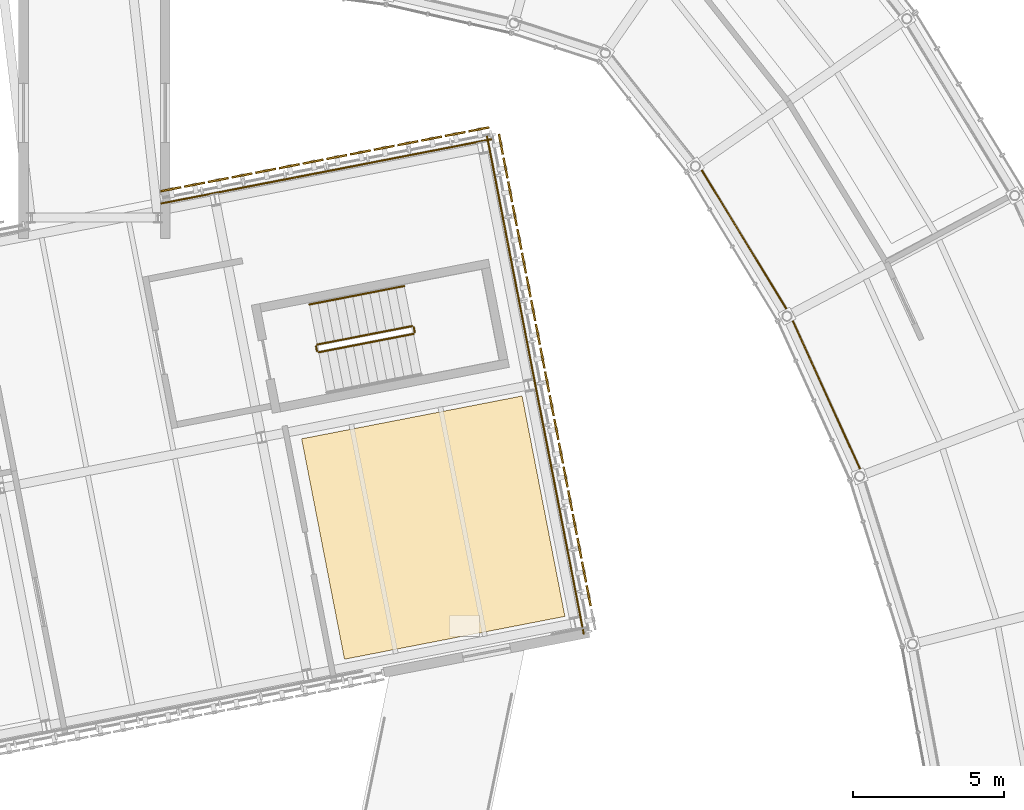
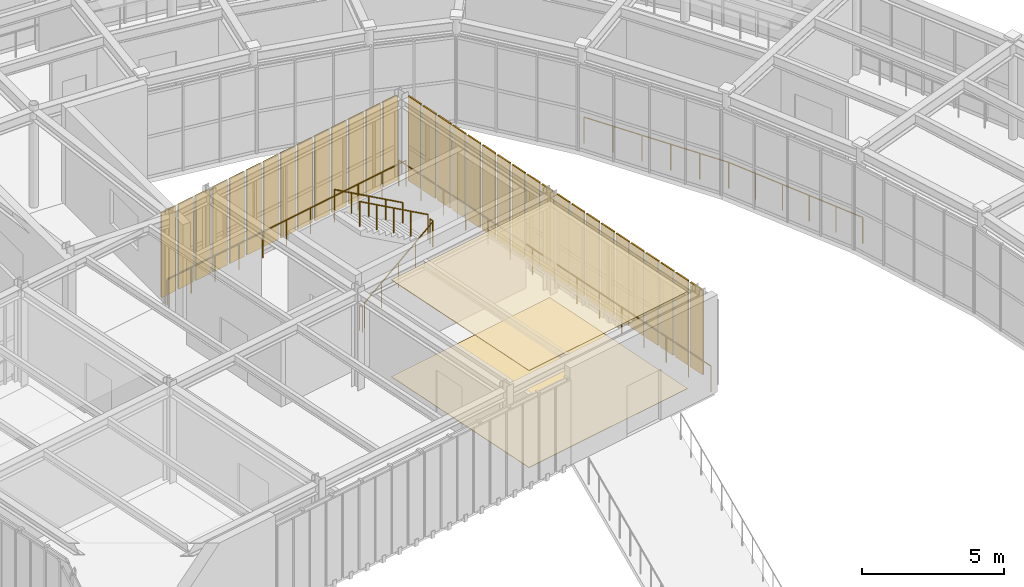
# One storey, part 99 of 103: 34 shading devices, 9 railings, 2 coverings.
"""IFC4 building model written with IfcOpenShell, lengths in metres."""

from ifc_helpers import new_model, si_unit, direction, frame, origin, origin_2d, place, context, subcontext, project, spatial, polyline, rectangle, circle, outline, extrude, material, layer, layer_set, type_object, element, save


model = new_model("IFC4")

# Units and contexts
model_context = context("Model", 3, precision=1e-05, world=origin(), true_north=direction((0.0, 1.0)))
body_context = subcontext(model_context, "Body", "Model", "MODEL_VIEW")
ifc_project = project(units=[si_unit("LENGTHUNIT", "METRE"), si_unit("AREAUNIT", "SQUARE_METRE"), si_unit("VOLUMEUNIT", "CUBIC_METRE"), si_unit("PLANEANGLEUNIT", "RADIAN"), si_unit("MASSUNIT", "GRAM", prefix="KILO")], contexts=[model_context])

# Site, building, storey
site_placement = place(None, origin())
site = spatial("IfcSite", under=ifc_project, at=site_placement, CompositionType="ELEMENT")
building_placement = place(site_placement, origin())
building = spatial("IfcBuilding", under=site, at=building_placement, Name="Varnklinge Art Gallery", CompositionType="ELEMENT")
storey_placement = place(building_placement, frame((0.0, 0.0, 5.10009765625)))
storey = spatial("IfcBuildingStorey", under=building, at=storey_placement, Name="L01", CompositionType="ELEMENT", Elevation=5.10009765625)

# Railings
ifc_material_1 = material(Name="Anodised Aluminium", Category="aluminium")
railing_type_1 = type_object("IfcRailingType", Name="BAL-01", PredefinedType="BALUSTRADE", material=ifc_material_1)
railing_1_placement = place(storey_placement, frame((99.69482421875, 72.09423828125, 0.0)))
element("IfcRailing", 1, at=railing_1_placement, inside=storey, type_object=railing_type_1, Name="L01 Ring Inner Glazing Guard 10", PredefinedType="BALUSTRADE", context=body_context, shape_type="SweptSolid", body=[
    extrude(circle(Radius=0.02392578125, at=origin_2d()), frame((0.0, 0.0, 1.11572265625), z_axis=(-0.413392255251, 0.910553042551, 0.0), x_axis=(-0.910553042551, -0.413392255251, 0.0)), (0.0, 0.0, 1.0), 5.822998046875),
    extrude(circle(Radius=0.02099609375, at=origin_2d()), origin(), (0.0, 0.0, 1.0), 1.091796875),
    extrude(circle(Radius=0.02099609375, at=origin_2d()), frame((-0.4814453125, 1.060546875, 0.0)), (0.0, 0.0, 1.0), 1.091796875),
    extrude(circle(Radius=0.02099609375, at=origin_2d()), frame((-0.962890625, 2.120849609375, 0.0)), (0.0, 0.0, 1.0), 1.091796875),
    extrude(circle(Radius=0.02099609375, at=origin_2d()), frame((-1.4443359375, 3.181396484375, 0.0)), (0.0, 0.0, 1.0), 1.091796875),
    extrude(circle(Radius=0.02099609375, at=origin_2d()), frame((-1.92578125, 4.24169921875, 0.0)), (0.0, 0.0, 1.0), 1.091796875),
    extrude(circle(Radius=0.02099609375, at=origin_2d()), frame((-2.4072265625, 5.30224609375, 0.0)), (0.0, 0.0, 1.0), 1.091796875),
])
railing_2_placement = place(storey_placement, frame((97.28759765625, 77.396484375, 0.0)))
element("IfcRailing", 2, at=railing_2_placement, inside=storey, type_object=railing_type_1, Name="L01 Ring Inner Glazing Guard 11", PredefinedType="BALUSTRADE", context=body_context, shape_type="SweptSolid", body=[
    extrude(circle(Radius=0.02392578125, at=origin_2d()), frame((0.0, 0.0, 1.11572265625), z_axis=(-0.520924193124, 0.853602943421, 0.0), x_axis=(-0.853602943421, -0.520924193124, 0.0)), (0.0, 0.0, 1.0), 5.8232421875),
    extrude(circle(Radius=0.02099609375, at=origin_2d()), origin(), (0.0, 0.0, 1.0), 1.091796875),
    extrude(circle(Radius=0.02099609375, at=origin_2d()), frame((-0.606689453125, 0.994140625, 0.0)), (0.0, 0.0, 1.0), 1.091796875),
    extrude(circle(Radius=0.02099609375, at=origin_2d()), frame((-1.21337890625, 1.98828125, 0.0)), (0.0, 0.0, 1.0), 1.091796875),
    extrude(circle(Radius=0.02099609375, at=origin_2d()), frame((-1.820068359375, 2.982421875, 0.0)), (0.0, 0.0, 1.0), 1.091796875),
    extrude(circle(Radius=0.02099609375, at=origin_2d()), frame((-2.4267578125, 3.9765625, 0.0)), (0.0, 0.0, 1.0), 1.091796875),
    extrude(circle(Radius=0.02099609375, at=origin_2d()), frame((-3.033447265625, 4.970703125, 0.0)), (0.0, 0.0, 1.0), 1.091796875),
])
railing_3_placement = place(storey_placement, frame((90.47265625, 66.853271484375, 0.0)))
element("IfcRailing", 3, at=railing_3_placement, inside=storey, type_object=railing_type_1, Name="BAL-V4B-L01-2-1", PredefinedType="BALUSTRADE", context=body_context, shape_type="SweptSolid", body=[
    extrude(circle(Radius=0.02392578125, at=origin_2d()), frame((0.0, 0.0, 1.11572265625), z_axis=(-0.19080897967, 0.981627186501, 0.0), x_axis=(-0.981627186501, -0.19080897967, 0.0)), (0.0, 0.0, 1.0), 16.7998046875),
    extrude(circle(Radius=0.02099609375, at=origin_2d()), origin(), (0.0, 0.0, 1.0), 1.091796875),
    extrude(circle(Radius=0.02099609375, at=origin_2d()), frame((-0.22900390625, 1.177978515625, 0.0)), (0.0, 0.0, 1.0), 1.091796875),
    extrude(circle(Radius=0.02099609375, at=origin_2d()), frame((-0.4580078125, 2.35595703125, 0.0)), (0.0, 0.0, 1.0), 1.091796875),
    extrude(circle(Radius=0.02099609375, at=origin_2d()), frame((-0.68701171875, 3.533935546875, 0.0)), (0.0, 0.0, 1.0), 1.091796875),
    extrude(circle(Radius=0.02099609375, at=origin_2d()), frame((-0.915771484375, 4.711669921875, 0.0)), (0.0, 0.0, 1.0), 1.091796875),
    extrude(circle(Radius=0.02099609375, at=origin_2d()), frame((-1.144775390625, 5.8896484375, 0.0)), (0.0, 0.0, 1.0), 1.091796875),
    extrude(circle(Radius=0.02099609375, at=origin_2d()), frame((-1.373779296875, 7.067626953125, 0.0)), (0.0, 0.0, 1.0), 1.091796875),
    extrude(circle(Radius=0.02099609375, at=origin_2d()), frame((-1.602783203125, 8.24560546875, 0.0)), (0.0, 0.0, 1.0), 1.091796875),
    extrude(circle(Radius=0.02099609375, at=origin_2d()), frame((-1.831787109375, 9.423583984375, 0.0)), (0.0, 0.0, 1.0), 1.091796875),
    extrude(circle(Radius=0.02099609375, at=origin_2d()), frame((-2.060791015625, 10.6015625, 0.0)), (0.0, 0.0, 1.0), 1.091796875),
    extrude(circle(Radius=0.02099609375, at=origin_2d()), frame((-2.289794921875, 11.779541015625, 0.0)), (0.0, 0.0, 1.0), 1.091796875),
    extrude(circle(Radius=0.02099609375, at=origin_2d()), frame((-2.5185546875, 12.957275390625, 0.0)), (0.0, 0.0, 1.0), 1.091796875),
    extrude(circle(Radius=0.02099609375, at=origin_2d()), frame((-2.74755859375, 14.13525390625, 0.0)), (0.0, 0.0, 1.0), 1.091796875),
    extrude(circle(Radius=0.02099609375, at=origin_2d()), frame((-2.9765625, 15.313232421875, 0.0)), (0.0, 0.0, 1.0), 1.091796875),
    extrude(circle(Radius=0.02099609375, at=origin_2d()), frame((-3.20556640625, 16.4912109375, 0.0)), (0.0, 0.0, 1.0), 1.091796875),
])
railing_4_placement = place(storey_placement, frame((87.47802734375, 83.2021484375, 0.0)))
element("IfcRailing", 4, at=railing_4_placement, inside=storey, type_object=railing_type_1, Name="BAL-V4B-L01-3-1", PredefinedType="BALUSTRADE", context=body_context, shape_type="SweptSolid", body=[
    extrude(circle(Radius=0.02392578125, at=origin_2d()), frame((0.0, 0.0, 1.11572265625), z_axis=(-0.981627333063, -0.190808225673, 0.0), x_axis=(0.190808225673, -0.981627333063, 0.0)), (0.0, 0.0, 1.0), 11.1689453125),
    extrude(circle(Radius=0.02099609375, at=origin_2d()), origin(), (0.0, 0.0, 1.0), 1.091796875),
    extrude(circle(Radius=0.02099609375, at=origin_2d()), frame((-1.096435546875, -0.213134765625, 0.0)), (0.0, 0.0, 1.0), 1.091796875),
    extrude(circle(Radius=0.02099609375, at=origin_2d()), frame((-2.192626953125, -0.42626953125, 0.0)), (0.0, 0.0, 1.0), 1.091796875),
    extrude(circle(Radius=0.02099609375, at=origin_2d()), frame((-3.2890625, -0.639404296875, 0.0)), (0.0, 0.0, 1.0), 1.091796875),
    extrude(circle(Radius=0.02099609375, at=origin_2d()), frame((-4.385498046875, -0.8525390625, 0.0)), (0.0, 0.0, 1.0), 1.091796875),
    extrude(circle(Radius=0.02099609375, at=origin_2d()), frame((-5.48193359375, -1.0654296875, 0.0)), (0.0, 0.0, 1.0), 1.091796875),
    extrude(circle(Radius=0.02099609375, at=origin_2d()), frame((-6.578125, -1.278564453125, 0.0)), (0.0, 0.0, 1.0), 1.091796875),
    extrude(circle(Radius=0.02099609375, at=origin_2d()), frame((-7.674560546875, -1.49169921875, 0.0)), (0.0, 0.0, 1.0), 1.091796875),
    extrude(circle(Radius=0.02099609375, at=origin_2d()), frame((-8.77099609375, -1.704833984375, 0.0)), (0.0, 0.0, 1.0), 1.091796875),
    extrude(circle(Radius=0.02099609375, at=origin_2d()), frame((-9.8671875, -1.91796875, 0.0)), (0.0, 0.0, 1.0), 1.091796875),
    extrude(circle(Radius=0.02099609375, at=origin_2d()), frame((-10.963623046875, -2.131103515625, 0.0)), (0.0, 0.0, 1.0), 1.091796875),
])

# Coverings
ifc_material_2 = material(Name="Acoustic Mineral Tile", Category="mineral")
ifc_layer_1 = layer(ifc_material_2, 0.02490234375)
ifc_layer_set_1 = layer_set([ifc_layer_1], Name="Acoustic Mineral Tile")
covering_type_1 = type_object("IfcCoveringType", Name="CLG-AC", PredefinedType="CEILING", material=ifc_layer_set_1)
covering_1_placement = place(storey_placement, frame((0.0, 0.0, 4.1748046875)))
element("IfcCovering", 5, at=covering_1_placement, inside=storey, type_object=covering_type_1, Name="L01 Acoustic Mineral Ceiling 028", PredefinedType="CEILING", context=body_context, shape_type="SweptSolid", body=[
    extrude(outline(polyline([(89.85205078125, 67.42529296875), (88.436279296875, 74.708984375), (81.152587890625, 73.293212890625), (82.568359375, 66.009521484375), (89.85205078125, 67.42529296875)])), origin(), (0.0, 0.0, 1.0), 0.025146484375),
])
ifc_material_3 = material(Name="Polished Terrazzo Flooring", Category="stone")
ifc_layer_2 = layer(ifc_material_3, 0.02001953125)
ifc_layer_set_2 = layer_set([ifc_layer_2], Name="Polished Terrazzo Flooring")
covering_type_2 = type_object("IfcCoveringType", Name="FLR-STN", PredefinedType="FLOORING", material=ifc_layer_set_2)
covering_2_placement = place(storey_placement, origin())
element("IfcCovering", 6, at=covering_2_placement, inside=storey, type_object=covering_type_2, Name="L01 Gallery Terrazzo Flooring 028", PredefinedType="FLOORING", context=body_context, shape_type="SweptSolid", body=[
    extrude(outline(polyline([(89.85205078125, 67.42529296875), (88.436279296875, 74.708984375), (81.152587890625, 73.293212890625), (82.568359375, 66.009521484375), (89.85205078125, 67.42529296875)])), origin(), (0.0, 0.0, 1.0), 0.02001953125),
])

# Railings
ifc_material_4 = material(Name="Steel S355", Category="steel")
railing_type_2 = type_object("IfcRailingType", Name="GR-INT", PredefinedType="GUARDRAIL", material=ifc_material_4)
railing_5_placement = place(storey_placement, frame((81.717041015625, 76.1533203125, 0.18408203125)))
element("IfcRailing", 7, at=railing_5_placement, inside=storey, type_object=railing_type_2, Name="L01 ST-10 stair guard 1", PredefinedType="GUARDRAIL", context=body_context, shape_type="SweptSolid", body=[
    extrude(circle(Radius=0.02392578125, at=origin_2d()), frame((0.0, 0.0, 1.076171875), z_axis=(0.82864335322, 0.161064079181, 0.536104985578), x_axis=(-0.190800009564, 0.98162893007, 0.0)), (0.0, 0.0, 1.0), 3.77880859375),
    extrude(circle(Radius=0.02099609375, at=origin_2d()), origin(), (0.0, 0.0, 1.0), 1.052001953125),
    extrude(circle(Radius=0.02099609375, at=origin_2d()), frame((0.78271484375, 0.152099609375, 0.50634765625)), (0.0, 0.0, 1.0), 1.052001953125),
    extrude(circle(Radius=0.02099609375, at=origin_2d()), frame((1.565673828125, 0.30419921875, 1.012939453125)), (0.0, 0.0, 1.0), 1.052001953125),
    extrude(circle(Radius=0.02099609375, at=origin_2d()), frame((2.3486328125, 0.45654296875, 1.51953125)), (0.0, 0.0, 1.0), 1.052001953125),
    extrude(circle(Radius=0.02099609375, at=origin_2d()), frame((3.13134765625, 0.608642578125, 2.02587890625)), (0.0, 0.0, 1.0), 1.052001953125),
])
railing_6_placement = place(storey_placement, frame((84.887939453125, 76.820556640625, 2.2099609375)))
element("IfcRailing", 8, at=railing_6_placement, inside=storey, type_object=railing_type_2, Name="L01 ST-10 stair guard 2", PredefinedType="GUARDRAIL", context=body_context, shape_type="SweptSolid", body=[
    extrude(circle(Radius=0.02392578125, at=origin_2d()), frame((0.0, 0.0, 1.076171875), z_axis=(-0.190543245845, 0.981678802594, 0.0), x_axis=(-0.981678802594, -0.190543245845, 0.0)), (0.0, 0.0, 1.0), 0.16015625),
    extrude(circle(Radius=0.02099609375, at=origin_2d()), origin(), (0.0, 0.0, 1.0), 1.052001953125),
    extrude(circle(Radius=0.02099609375, at=origin_2d()), frame((-0.030517578125, 0.1572265625, 0.0)), (0.0, 0.0, 1.0), 1.052001953125),
])
railing_7_placement = place(storey_placement, frame((84.798828125, 77.017333984375, 2.39404296875)))
element("IfcRailing", 9, at=railing_7_placement, inside=storey, type_object=railing_type_2, Name="L01 ST-10 stair guard 3", PredefinedType="GUARDRAIL", context=body_context, shape_type="SweptSolid", body=[
    extrude(circle(Radius=0.02392578125, at=origin_2d()), frame((0.0, 0.0, 1.076171875), z_axis=(-0.82864335322, -0.161064079181, 0.536104985578), x_axis=(0.190800009564, -0.98162893007, 0.0)), (0.0, 0.0, 1.0), 3.77880859375),
    extrude(circle(Radius=0.02099609375, at=origin_2d()), origin(), (0.0, 0.0, 1.0), 1.052001953125),
    extrude(circle(Radius=0.02099609375, at=origin_2d()), frame((-0.78271484375, -0.152099609375, 0.50634765625)), (0.0, 0.0, 1.0), 1.052001953125),
    extrude(circle(Radius=0.02099609375, at=origin_2d()), frame((-1.565673828125, -0.30419921875, 1.012939453125)), (0.0, 0.0, 1.0), 1.052001953125),
    extrude(circle(Radius=0.02099609375, at=origin_2d()), frame((-2.3486328125, -0.45654296875, 1.51953125)), (0.0, 0.0, 1.0), 1.052001953125),
    extrude(circle(Radius=0.02099609375, at=origin_2d()), frame((-3.13134765625, -0.608642578125, 2.02587890625)), (0.0, 0.0, 1.0), 1.052001953125),
])
railing_8_placement = place(storey_placement, frame((81.658447265625, 76.19287109375, 0.0)))
element("IfcRailing", 10, at=railing_8_placement, inside=storey, type_object=railing_type_2, Name="L01 ST-10 stair guard 4", PredefinedType="GUARDRAIL", context=body_context, shape_type="SweptSolid", body=[
    extrude(circle(Radius=0.02392578125, at=origin_2d()), frame((0.0, 0.0, 1.076171875), z_axis=(-0.190828797455, 0.981623334106, 0.0), x_axis=(-0.981623334106, -0.190828797455, 0.0)), (0.0, 0.0, 1.0), 0.159912109375),
    extrude(circle(Radius=0.02099609375, at=origin_2d()), origin(), (0.0, 0.0, 1.0), 1.052001953125),
    extrude(circle(Radius=0.02099609375, at=origin_2d()), frame((-0.030517578125, 0.156982421875, 0.0)), (0.0, 0.0, 1.0), 1.052001953125),
])
ifc_material_5 = material(Name="Steel S355", Category="steel")
railing_type_3 = type_object("IfcRailingType", Name="HR-01", PredefinedType="HANDRAIL", material=ifc_material_5)
railing_9_placement = place(storey_placement, frame((84.541259765625, 78.342529296875, 2.39404296875)))
element("IfcRailing", 11, at=railing_9_placement, inside=storey, type_object=railing_type_3, Name="L01 ST-10 stair handrail 2", PredefinedType="HANDRAIL", context=body_context, shape_type="SweptSolid", body=[
    extrude(circle(Radius=0.02392578125, at=origin_2d()), frame((0.0, 0.0, 0.8759765625), z_axis=(-0.82864335322, -0.161064079181, 0.536104985578), x_axis=(0.190800009564, -0.98162893007, 0.0)), (0.0, 0.0, 1.0), 3.77880859375),
    extrude(circle(Radius=0.02099609375, at=origin_2d()), origin(), (0.0, 0.0, 1.0), 0.851806640625),
    extrude(circle(Radius=0.02099609375, at=origin_2d()), frame((-0.78271484375, -0.152099609375, 0.50634765625)), (0.0, 0.0, 1.0), 0.851806640625),
    extrude(circle(Radius=0.02099609375, at=origin_2d()), frame((-1.565673828125, -0.30419921875, 1.012939453125)), (0.0, 0.0, 1.0), 0.851806640625),
    extrude(circle(Radius=0.02099609375, at=origin_2d()), frame((-2.3486328125, -0.45654296875, 1.51953125)), (0.0, 0.0, 1.0), 0.851806640625),
    extrude(circle(Radius=0.02099609375, at=origin_2d()), frame((-3.13134765625, -0.608642578125, 2.02587890625)), (0.0, 0.0, 1.0), 0.851806640625),
])

# Shading devices
ifc_material_6 = material(Name="Perforated Aluminium-Precast Lattice", Category="concrete")
ifc_layer_3 = layer(ifc_material_6, 0.06005859375)
ifc_layer_set_3 = layer_set([ifc_layer_3], Name="Perforated Aluminium-Precast Lattice")
shading_device_type = type_object("IfcShadingDeviceType", Name="SHD-LAT", PredefinedType="USERDEFINED", material=ifc_layer_set_3)
for number, where, z_axis, x_axis, name in (
    (12, (90.63623046875, 68.107421875, 0.099853515625), (0.0, 0.0, 1.0), (-0.190808995377, 0.981627183448, 0.0), "L01 Perforated Lattice Screen 2.1.2"),
    (13, (90.483642578125, 68.892578125, 0.099853515625), (0.0, 0.0, 1.0), (-0.190808995377, 0.981627183448, 0.0), "L01 Perforated Lattice Screen 2.1.3"),
    (14, (90.3310546875, 69.677978515625, 0.099853515625), (0.0, 0.0, 1.0), (-0.190808995377, 0.981627183448, 0.0), "L01 Perforated Lattice Screen 2.1.4"),
    (15, (90.17822265625, 70.46337890625, 0.099853515625), (0.0, 0.0, 1.0), (-0.190808995377, 0.981627183448, 0.0), "L01 Perforated Lattice Screen 2.1.5"),
    (16, (90.025634765625, 71.24853515625, 0.099853515625), (0.0, 0.0, 1.0), (-0.190808995377, 0.981627183448, 0.0), "L01 Perforated Lattice Screen 2.1.6"),
    (17, (89.873046875, 72.033935546875, 0.099853515625), (0.0, 0.0, 1.0), (-0.190808995377, 0.981627183448, 0.0), "L01 Perforated Lattice Screen 2.1.7"),
    (18, (89.720458984375, 72.819091796875, 0.099853515625), (0.0, 0.0, 1.0), (-0.190808995377, 0.981627183448, 0.0), "L01 Perforated Lattice Screen 2.2.1"),
    (19, (89.56787109375, 73.6044921875, 0.099853515625), (0.0, 0.0, 1.0), (-0.190808995377, 0.981627183448, 0.0), "L01 Perforated Lattice Screen 2.2.2"),
    (20, (89.4150390625, 74.389892578125, 0.099853515625), (0.0, 0.0, 1.0), (-0.190808995377, 0.981627183448, 0.0), "L01 Perforated Lattice Screen 2.2.3"),
    (21, (89.262451171875, 75.175048828125, 0.099853515625), (0.0, 0.0, 1.0), (-0.190808995377, 0.981627183448, 0.0), "L01 Perforated Lattice Screen 2.2.4"),
    (22, (89.10986328125, 75.96044921875, 0.099853515625), (0.0, 0.0, 1.0), (-0.190808995377, 0.981627183448, 0.0), "L01 Perforated Lattice Screen 2.2.5"),
    (23, (88.957275390625, 76.74560546875, 0.099853515625), (0.0, 0.0, 1.0), (-0.190808995377, 0.981627183448, 0.0), "L01 Perforated Lattice Screen 2.2.6"),
    (24, (88.804443359375, 77.531005859375, 0.099853515625), (0.0, 0.0, 1.0), (-0.190808995377, 0.981627183448, 0.0), "L01 Perforated Lattice Screen 2.2.7"),
    (25, (88.65185546875, 78.31640625, 0.099853515625), (0.0, 0.0, 1.0), (-0.190808995377, 0.981627183448, 0.0), "L01 Perforated Lattice Screen 2.3.1"),
    (26, (88.499267578125, 79.1015625, 0.099853515625), (0.0, 0.0, 1.0), (-0.190808995377, 0.981627183448, 0.0), "L01 Perforated Lattice Screen 2.3.2"),
    (27, (88.3466796875, 79.886962890625, 0.099853515625), (0.0, 0.0, 1.0), (-0.190808995377, 0.981627183448, 0.0), "L01 Perforated Lattice Screen 2.3.3"),
    (28, (88.19384765625, 80.672119140625, 0.099853515625), (0.0, 0.0, 1.0), (-0.190808995377, 0.981627183448, 0.0), "L01 Perforated Lattice Screen 2.3.4"),
    (29, (88.041259765625, 81.45751953125, 0.099853515625), (0.0, 0.0, 1.0), (-0.190808995377, 0.981627183448, 0.0), "L01 Perforated Lattice Screen 2.3.5"),
    (30, (87.888671875, 82.242919921875, 0.099853515625), (0.0, 0.0, 1.0), (-0.190808995377, 0.981627183448, 0.0), "L01 Perforated Lattice Screen 2.3.6"),
    (31, (87.736083984375, 83.028076171875, 0.099853515625), (0.0, 0.0, 1.0), (-0.190808995377, 0.981627183448, 0.0), "L01 Perforated Lattice Screen 2.3.7"),
    (32, (87.01025390625, 83.5185546875, 0.099853515625), (0.0, 0.0, 1.0), (-0.981627183448, -0.190808995377, 0.0), "L01 Perforated Lattice Screen 3.1.1"),
    (33, (86.22705078125, 83.366455078125, 0.099853515625), (0.0, 0.0, 1.0), (-0.981627183448, -0.190808995377, 0.0), "L01 Perforated Lattice Screen 3.1.2"),
    (34, (85.44384765625, 83.214111328125, 0.099853515625), (0.0, 0.0, 1.0), (-0.981627183448, -0.190808995377, 0.0), "L01 Perforated Lattice Screen 3.1.3"),
    (35, (84.660888671875, 83.06201171875, 0.099853515625), (0.0, 0.0, 1.0), (-0.981627183448, -0.190808995377, 0.0), "L01 Perforated Lattice Screen 3.1.4"),
    (36, (83.877685546875, 82.909912109375, 0.099853515625), (0.0, 0.0, 1.0), (-0.981627183448, -0.190808995377, 0.0), "L01 Perforated Lattice Screen 3.1.5"),
    (37, (83.094482421875, 82.757568359375, 0.099853515625), (0.0, 0.0, 1.0), (-0.981627183448, -0.190808995377, 0.0), "L01 Perforated Lattice Screen 3.1.6"),
    (38, (82.311279296875, 82.605224609375, 0.099853515625), (0.0, 0.0, 1.0), (-0.981627183448, -0.190808995377, 0.0), "L01 Perforated Lattice Screen 3.1.7"),
    (39, (81.5283203125, 82.453125, 0.099853515625), (0.0, 0.0, 1.0), (-0.981627183448, -0.190808995377, 0.0), "L01 Perforated Lattice Screen 3.2.1"),
    (40, (80.7451171875, 82.30078125, 0.099853515625), (0.0, 0.0, 1.0), (-0.981627183448, -0.190808995377, 0.0), "L01 Perforated Lattice Screen 3.2.2"),
    (41, (79.962158203125, 82.148681640625, 0.099853515625), (0.0, 0.0, 1.0), (-0.981627183448, -0.190808995377, 0.0), "L01 Perforated Lattice Screen 3.2.3"),
    (42, (79.178955078125, 81.996337890625, 0.099853515625), (0.0, 0.0, 1.0), (-0.981627183448, -0.190808995377, 0.0), "L01 Perforated Lattice Screen 3.2.4"),
    (43, (78.395751953125, 81.84423828125, 0.099853515625), (0.0, 0.0, 1.0), (-0.981627183448, -0.190808995377, 0.0), "L01 Perforated Lattice Screen 3.2.5"),
    (44, (77.61279296875, 81.69189453125, 0.099853515625), (0.0, 0.0, 1.0), (-0.981627183448, -0.190808995377, 0.0), "L01 Perforated Lattice Screen 3.2.6"),
    (45, (76.82958984375, 81.539794921875, 0.099853515625), (0.0, 0.0, 1.0), (-0.981627183448, -0.190808995377, 0.0), "L01 Perforated Lattice Screen 3.2.7"),
):
    element("IfcShadingDevice", number, at=place(storey_placement, frame(where, z_axis=z_axis, x_axis=x_axis)), inside=storey, type_object=shading_device_type, Name=name, ObjectType="LATTICE SCREEN", PredefinedType="USERDEFINED", context=body_context, shape_type="SweptSolid", body=[
        extrude(rectangle(XDim=0.679931640625, YDim=0.06005859375, at=origin_2d()), origin(), (0.0, 0.0, 1.0), 3.64990234375),
    ])

save(model, "model.ifc")
